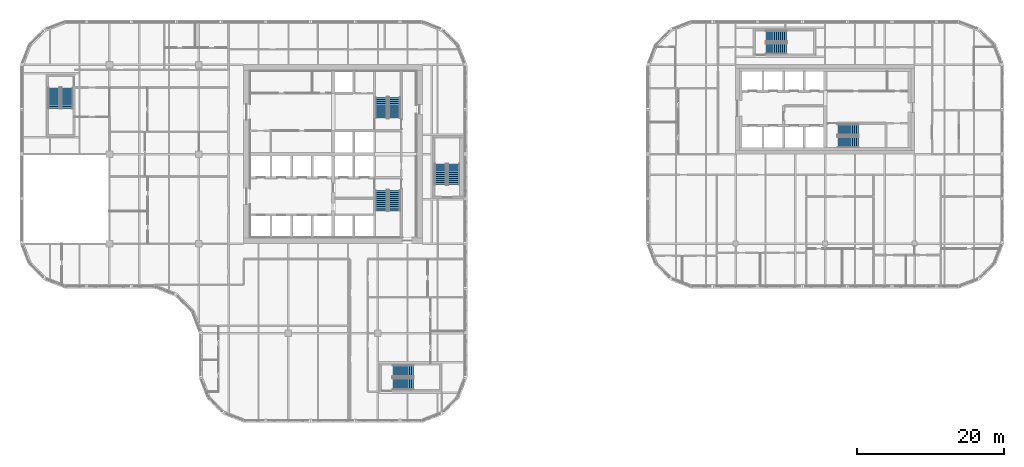
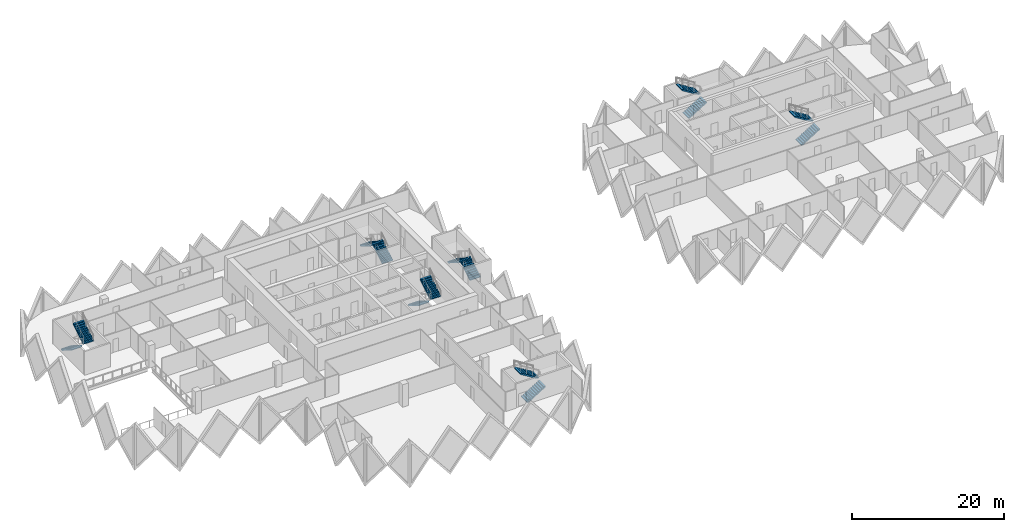
# One storey, part 17 of 19: 14 stair flights, 7 elements without a shape of their own.
"""IFC4 building model written with IfcOpenShell, lengths in metres."""

from ifc_helpers import new_model, si_unit, direction, frame, origin, place, context, subcontext, project, spatial, polyline, outline, extrude, material, type_object, element, aggregate, save


model = new_model("IFC4")

# Units and contexts
model_context = context("Model", 3, precision=1e-05, world=origin(), true_north=direction((0.0, 1.0)))
body_context = subcontext(model_context, "Body", "Model", "MODEL_VIEW")
ifc_project = project(units=[si_unit("LENGTHUNIT", "METRE"), si_unit("AREAUNIT", "SQUARE_METRE"), si_unit("VOLUMEUNIT", "CUBIC_METRE"), si_unit("PLANEANGLEUNIT", "RADIAN"), si_unit("MASSUNIT", "GRAM", prefix="KILO")], contexts=[model_context])

# Site, building, storey
site_placement = place(None, origin())
site = spatial("IfcSite", under=ifc_project, at=site_placement, CompositionType="ELEMENT")
building_placement = place(site_placement, origin())
building = spatial("IfcBuilding", under=site, at=building_placement, Name="Tessera Gate Towers", CompositionType="ELEMENT")
storey_placement = place(building_placement, frame((0.0, 0.0, 76.199951171875)))
storey = spatial("IfcBuildingStorey", under=building, at=storey_placement, Name="L18", CompositionType="ELEMENT", Elevation=76.199951171875)

# Stair, stair flights
ifc_material_1 = material(Name="Concrete C40/50", Category="concrete")
stair_type_1 = type_object("IfcStairType", Name="EXIT STAIR ST1 1600", PredefinedType="HALF_TURN_STAIR", material=ifc_material_1)
stair_1_placement = place(storey_placement, origin())
stair_1 = element("IfcStair", 1, at=stair_1_placement, inside=storey, type_object=stair_type_1, Name="L18 Protected Exit Stair ST1", PredefinedType="HALF_TURN_STAIR")
ifc_material_2 = material(Name="Concrete C40/50", Category="concrete")
stair_flight_type_1 = type_object("IfcStairFlightType", Name="EXIT STAIR FLIGHT ST1 1600", PredefinedType="STRAIGHT", material=ifc_material_2)
stair_flight_1_placement = place(storey_placement, frame((49.27490234375, 31.675048828125, 0.0), z_axis=(0.0, 0.0, 1.0), x_axis=(0.0, -1.0, 0.0)))
stair_flight_1 = element("IfcStairFlight", 2, at=stair_flight_1_placement, type_object=stair_flight_type_1, Name="ST1 flight 1", NumberOfRisers=11, NumberOfTreads=10, PredefinedType="STRAIGHT", RiserHeight=0.172727273, TreadLength=0.28, context=body_context, shape_type="SweptSolid", body=[
    extrude(outline(polyline([(0.0, 0.0), (0.0, 0.172607421875), (0.280029296875, 0.172607421875), (0.280029296875, 0.345458984375), (0.56005859375, 0.345458984375), (0.56005859375, 0.51806640625), (0.840087890625, 0.51806640625), (0.840087890625, 0.69091796875), (1.1201171875, 0.69091796875), (1.1201171875, 0.863525390625), (1.39990234375, 0.863525390625), (1.39990234375, 1.036376953125), (1.679931640625, 1.036376953125), (1.679931640625, 1.208984375), (1.9599609375, 1.208984375), (1.9599609375, 1.3818359375), (2.239990234375, 1.3818359375), (2.239990234375, 1.554443359375), (2.52001953125, 1.554443359375), (2.52001953125, 1.727294921875), (2.800048828125, 1.727294921875), (2.800048828125, 1.89990234375), (2.800048828125, 1.551025390625), (0.285400390625, 0.0), (0.0, 0.0)])), frame((0.0, 0.800048828125, 0.0), z_axis=(0.0, -1.0, 0.0), x_axis=(1.0, 0.0, 0.0)), (0.0, 0.0, 1.0), 1.60009765625),
])
stair_flight_2_placement = place(storey_placement, frame((51.074951171875, 28.875, 1.900146484375), z_axis=(0.0, 0.0, 1.0), x_axis=(0.0, 1.0, 0.0)))
stair_flight_2 = element("IfcStairFlight", 3, at=stair_flight_2_placement, type_object=stair_flight_type_1, Name="ST1 flight 2", NumberOfRisers=11, NumberOfTreads=10, PredefinedType="STRAIGHT", RiserHeight=0.172727273, TreadLength=0.28, context=body_context, shape_type="SweptSolid", body=[
    extrude(outline(polyline([(0.0, 0.0), (0.0, 0.172607421875), (0.280029296875, 0.172607421875), (0.280029296875, 0.345458984375), (0.56005859375, 0.345458984375), (0.56005859375, 0.51806640625), (0.840087890625, 0.51806640625), (0.840087890625, 0.69091796875), (1.1201171875, 0.69091796875), (1.1201171875, 0.863525390625), (1.39990234375, 0.863525390625), (1.39990234375, 1.036376953125), (1.679931640625, 1.036376953125), (1.679931640625, 1.208984375), (1.9599609375, 1.208984375), (1.9599609375, 1.3818359375), (2.239990234375, 1.3818359375), (2.239990234375, 1.554443359375), (2.52001953125, 1.554443359375), (2.52001953125, 1.727294921875), (2.800048828125, 1.727294921875), (2.800048828125, 1.89990234375), (2.800048828125, 1.551025390625), (0.285400390625, 0.0), (0.0, 0.0)])), frame((0.0, 0.800048828125, 0.0), z_axis=(0.0, -1.0, 0.0), x_axis=(1.0, 0.0, 0.0)), (0.0, 0.0, 1.0), 1.60009765625),
])
aggregate(stair_1, [stair_flight_1, stair_flight_2])

ifc_material_3 = material(Name="Concrete C40/50", Category="concrete")
stair_type_2 = type_object("IfcStairType", Name="EXIT STAIR ST2 1600", PredefinedType="HALF_TURN_STAIR", material=ifc_material_3)
stair_2_placement = place(storey_placement, origin())
stair_2 = element("IfcStair", 4, at=stair_2_placement, inside=storey, type_object=stair_type_2, Name="L18 Protected Exit Stair ST2", PredefinedType="HALF_TURN_STAIR")
ifc_material_4 = material(Name="Concrete C40/50", Category="concrete")
stair_flight_type_2 = type_object("IfcStairFlightType", Name="EXIT STAIR FLIGHT ST2 1600", PredefinedType="STRAIGHT", material=ifc_material_4)
stair_flight_3_placement = place(storey_placement, frame((51.074951171875, 41.52490234375, 0.0), z_axis=(0.0, 0.0, 1.0), x_axis=(0.0, 1.0, 0.0)))
stair_flight_3 = element("IfcStairFlight", 5, at=stair_flight_3_placement, type_object=stair_flight_type_2, Name="ST2 flight 1", NumberOfRisers=11, NumberOfTreads=10, PredefinedType="STRAIGHT", RiserHeight=0.172727273, TreadLength=0.28, context=body_context, shape_type="SweptSolid", body=[
    extrude(outline(polyline([(0.0, 0.0), (0.0, 0.172607421875), (0.280029296875, 0.172607421875), (0.280029296875, 0.345458984375), (0.56005859375, 0.345458984375), (0.56005859375, 0.51806640625), (0.840087890625, 0.51806640625), (0.840087890625, 0.69091796875), (1.1201171875, 0.69091796875), (1.1201171875, 0.863525390625), (1.39990234375, 0.863525390625), (1.39990234375, 1.036376953125), (1.679931640625, 1.036376953125), (1.679931640625, 1.208984375), (1.9599609375, 1.208984375), (1.9599609375, 1.3818359375), (2.239990234375, 1.3818359375), (2.239990234375, 1.554443359375), (2.52001953125, 1.554443359375), (2.52001953125, 1.727294921875), (2.800048828125, 1.727294921875), (2.800048828125, 1.89990234375), (2.800048828125, 1.551025390625), (0.285400390625, 0.0), (0.0, 0.0)])), frame((0.0, 0.800048828125, 0.0), z_axis=(0.0, -1.0, 0.0), x_axis=(1.0, 0.0, 0.0)), (0.0, 0.0, 1.0), 1.60009765625),
])
stair_flight_4_placement = place(storey_placement, frame((49.27490234375, 44.324951171875, 1.900146484375), z_axis=(0.0, 0.0, 1.0), x_axis=(0.0, -1.0, 0.0)))
stair_flight_4 = element("IfcStairFlight", 6, at=stair_flight_4_placement, type_object=stair_flight_type_2, Name="ST2 flight 2", NumberOfRisers=11, NumberOfTreads=10, PredefinedType="STRAIGHT", RiserHeight=0.172727273, TreadLength=0.28, context=body_context, shape_type="SweptSolid", body=[
    extrude(outline(polyline([(0.0, 0.0), (0.0, 0.172607421875), (0.280029296875, 0.172607421875), (0.280029296875, 0.345458984375), (0.56005859375, 0.345458984375), (0.56005859375, 0.51806640625), (0.840087890625, 0.51806640625), (0.840087890625, 0.69091796875), (1.1201171875, 0.69091796875), (1.1201171875, 0.863525390625), (1.39990234375, 0.863525390625), (1.39990234375, 1.036376953125), (1.679931640625, 1.036376953125), (1.679931640625, 1.208984375), (1.9599609375, 1.208984375), (1.9599609375, 1.3818359375), (2.239990234375, 1.3818359375), (2.239990234375, 1.554443359375), (2.52001953125, 1.554443359375), (2.52001953125, 1.727294921875), (2.800048828125, 1.727294921875), (2.800048828125, 1.89990234375), (2.800048828125, 1.551025390625), (0.285400390625, 0.0), (0.0, 0.0)])), frame((0.0, 0.800048828125, 0.0), z_axis=(0.0, -1.0, 0.0), x_axis=(1.0, 0.0, 0.0)), (0.0, 0.0, 1.0), 1.60009765625),
])
aggregate(stair_2, [stair_flight_3, stair_flight_4])

ifc_material_5 = material(Name="Concrete C40/50", Category="concrete")
stair_type_3 = type_object("IfcStairType", Name="EXIT STAIR ST3 1600", PredefinedType="HALF_TURN_STAIR", material=ifc_material_5)
stair_3_placement = place(storey_placement, origin())
stair_3 = element("IfcStair", 7, at=stair_3_placement, inside=storey, type_object=stair_type_3, Name="L18 West Exit Stair ST3", PredefinedType="HALF_TURN_STAIR")
ifc_material_6 = material(Name="Concrete C40/50", Category="concrete")
stair_flight_type_3 = type_object("IfcStairFlightType", Name="EXIT STAIR FLIGHT ST3 1600", PredefinedType="STRAIGHT", material=ifc_material_6)
stair_flight_5_placement = place(storey_placement, frame((4.64990234375, 45.64990234375, 0.0), z_axis=(0.0, 0.0, 1.0), x_axis=(0.0, -1.0, 0.0)))
stair_flight_5 = element("IfcStairFlight", 8, at=stair_flight_5_placement, type_object=stair_flight_type_3, Name="ST3 flight 1", NumberOfRisers=11, NumberOfTreads=10, PredefinedType="STRAIGHT", RiserHeight=0.172727273, TreadLength=0.28, context=body_context, shape_type="SweptSolid", body=[
    extrude(outline(polyline([(0.0, 0.0), (0.0, 0.172607421875), (0.280029296875, 0.172607421875), (0.280029296875, 0.345458984375), (0.56005859375, 0.345458984375), (0.56005859375, 0.51806640625), (0.840087890625, 0.51806640625), (0.840087890625, 0.69091796875), (1.1201171875, 0.69091796875), (1.1201171875, 0.863525390625), (1.39990234375, 0.863525390625), (1.39990234375, 1.036376953125), (1.679931640625, 1.036376953125), (1.679931640625, 1.208984375), (1.9599609375, 1.208984375), (1.9599609375, 1.3818359375), (2.239990234375, 1.3818359375), (2.239990234375, 1.554443359375), (2.52001953125, 1.554443359375), (2.52001953125, 1.727294921875), (2.800048828125, 1.727294921875), (2.800048828125, 1.89990234375), (2.800048828125, 1.551025390625), (0.285400390625, 0.0), (0.0, 0.0)])), frame((0.0, 0.800048828125, 0.0), z_axis=(0.0, -1.0, 0.0), x_axis=(1.0, 0.0, 0.0)), (0.0, 0.0, 1.0), 1.60009765625),
])
stair_flight_6_placement = place(storey_placement, frame((6.449951171875, 42.85009765625, 1.900146484375), z_axis=(0.0, 0.0, 1.0), x_axis=(0.0, 1.0, 0.0)))
stair_flight_6 = element("IfcStairFlight", 9, at=stair_flight_6_placement, type_object=stair_flight_type_3, Name="ST3 flight 2", NumberOfRisers=11, NumberOfTreads=10, PredefinedType="STRAIGHT", RiserHeight=0.172727273, TreadLength=0.28, context=body_context, shape_type="SweptSolid", body=[
    extrude(outline(polyline([(0.0, 0.0), (0.0, 0.172607421875), (0.280029296875, 0.172607421875), (0.280029296875, 0.345458984375), (0.56005859375, 0.345458984375), (0.56005859375, 0.51806640625), (0.840087890625, 0.51806640625), (0.840087890625, 0.69091796875), (1.1201171875, 0.69091796875), (1.1201171875, 0.863525390625), (1.39990234375, 0.863525390625), (1.39990234375, 1.036376953125), (1.679931640625, 1.036376953125), (1.679931640625, 1.208984375), (1.9599609375, 1.208984375), (1.9599609375, 1.3818359375), (2.239990234375, 1.3818359375), (2.239990234375, 1.554443359375), (2.52001953125, 1.554443359375), (2.52001953125, 1.727294921875), (2.800048828125, 1.727294921875), (2.800048828125, 1.89990234375), (2.800048828125, 1.551025390625), (0.285400390625, 0.0), (0.0, 0.0)])), frame((0.0, 0.800048828125, 0.0), z_axis=(0.0, -1.0, 0.0), x_axis=(1.0, 0.0, 0.0)), (0.0, 0.0, 1.0), 1.60009765625),
])
aggregate(stair_3, [stair_flight_5, stair_flight_6])

ifc_material_7 = material(Name="Concrete C40/50", Category="concrete")
stair_type_4 = type_object("IfcStairType", Name="EXIT STAIR ST4 1600", PredefinedType="HALF_TURN_STAIR", material=ifc_material_7)
stair_4_placement = place(storey_placement, origin())
stair_4 = element("IfcStair", 10, at=stair_4_placement, inside=storey, type_object=stair_type_4, Name="L18 South Exit Stair ST4", PredefinedType="HALF_TURN_STAIR")
ifc_material_8 = material(Name="Concrete C40/50", Category="concrete")
stair_flight_type_4 = type_object("IfcStairFlightType", Name="EXIT STAIR FLIGHT ST4 1600", PredefinedType="STRAIGHT", material=ifc_material_8)
stair_flight_7_placement = place(storey_placement, frame((50.85009765625, 5.25, 0.0), z_axis=(0.0, 0.0, 1.0), x_axis=(1.0, 0.0, 0.0)))
stair_flight_7 = element("IfcStairFlight", 11, at=stair_flight_7_placement, type_object=stair_flight_type_4, Name="ST4 flight 1", NumberOfRisers=11, NumberOfTreads=10, PredefinedType="STRAIGHT", RiserHeight=0.172727273, TreadLength=0.28, context=body_context, shape_type="SweptSolid", body=[
    extrude(outline(polyline([(0.0, 0.0), (0.0, 0.172607421875), (0.280029296875, 0.172607421875), (0.280029296875, 0.345458984375), (0.56005859375, 0.345458984375), (0.56005859375, 0.51806640625), (0.840087890625, 0.51806640625), (0.840087890625, 0.69091796875), (1.1201171875, 0.69091796875), (1.1201171875, 0.863525390625), (1.39990234375, 0.863525390625), (1.39990234375, 1.036376953125), (1.679931640625, 1.036376953125), (1.679931640625, 1.208984375), (1.9599609375, 1.208984375), (1.9599609375, 1.3818359375), (2.239990234375, 1.3818359375), (2.239990234375, 1.554443359375), (2.52001953125, 1.554443359375), (2.52001953125, 1.727294921875), (2.800048828125, 1.727294921875), (2.800048828125, 1.89990234375), (2.800048828125, 1.551025390625), (0.285400390625, 0.0), (0.0, 0.0)])), frame((0.0, 0.800048828125, 0.0), z_axis=(0.0, -1.0, 0.0), x_axis=(1.0, 0.0, 0.0)), (0.0, 0.0, 1.0), 1.60009765625),
])
stair_flight_8_placement = place(storey_placement, frame((53.64990234375, 7.050048828125, 1.900146484375), z_axis=(0.0, 0.0, 1.0), x_axis=(-1.0, 0.0, 0.0)))
stair_flight_8 = element("IfcStairFlight", 12, at=stair_flight_8_placement, type_object=stair_flight_type_4, Name="ST4 flight 2", NumberOfRisers=11, NumberOfTreads=10, PredefinedType="STRAIGHT", RiserHeight=0.172727273, TreadLength=0.28, context=body_context, shape_type="SweptSolid", body=[
    extrude(outline(polyline([(0.0, 0.0), (0.0, 0.172607421875), (0.280029296875, 0.172607421875), (0.280029296875, 0.345458984375), (0.56005859375, 0.345458984375), (0.56005859375, 0.51806640625), (0.840087890625, 0.51806640625), (0.840087890625, 0.69091796875), (1.1201171875, 0.69091796875), (1.1201171875, 0.863525390625), (1.39990234375, 0.863525390625), (1.39990234375, 1.036376953125), (1.679931640625, 1.036376953125), (1.679931640625, 1.208984375), (1.9599609375, 1.208984375), (1.9599609375, 1.3818359375), (2.239990234375, 1.3818359375), (2.239990234375, 1.554443359375), (2.52001953125, 1.554443359375), (2.52001953125, 1.727294921875), (2.800048828125, 1.727294921875), (2.800048828125, 1.89990234375), (2.800048828125, 1.551025390625), (0.285400390625, 0.0), (0.0, 0.0)])), frame((0.0, 0.800048828125, 0.0), z_axis=(0.0, -1.0, 0.0), x_axis=(1.0, 0.0, 0.0)), (0.0, 0.0, 1.0), 1.60009765625),
])
aggregate(stair_4, [stair_flight_7, stair_flight_8])

ifc_material_9 = material(Name="Concrete C40/50", Category="concrete")
stair_type_5 = type_object("IfcStairType", Name="EXIT STAIR ST5 1600", PredefinedType="HALF_TURN_STAIR", material=ifc_material_9)
stair_5_placement = place(storey_placement, origin())
stair_5 = element("IfcStair", 13, at=stair_5_placement, inside=storey, type_object=stair_type_5, Name="L18 East Exit Stair ST5", PredefinedType="HALF_TURN_STAIR")
ifc_material_10 = material(Name="Concrete C40/50", Category="concrete")
stair_flight_type_5 = type_object("IfcStairFlightType", Name="EXIT STAIR FLIGHT ST5 1600", PredefinedType="STRAIGHT", material=ifc_material_10)
stair_flight_9_placement = place(storey_placement, frame((59.14990234375, 32.449951171875, 0.0), z_axis=(0.0, 0.0, 1.0), x_axis=(0.0, 1.0, 0.0)))
stair_flight_9 = element("IfcStairFlight", 14, at=stair_flight_9_placement, type_object=stair_flight_type_5, Name="ST5 flight 1", NumberOfRisers=11, NumberOfTreads=10, PredefinedType="STRAIGHT", RiserHeight=0.172727273, TreadLength=0.28, context=body_context, shape_type="SweptSolid", body=[
    extrude(outline(polyline([(0.0, 0.0), (0.0, 0.172607421875), (0.280029296875, 0.172607421875), (0.280029296875, 0.345458984375), (0.56005859375, 0.345458984375), (0.56005859375, 0.51806640625), (0.840087890625, 0.51806640625), (0.840087890625, 0.69091796875), (1.1201171875, 0.69091796875), (1.1201171875, 0.863525390625), (1.39990234375, 0.863525390625), (1.39990234375, 1.036376953125), (1.679931640625, 1.036376953125), (1.679931640625, 1.208984375), (1.9599609375, 1.208984375), (1.9599609375, 1.3818359375), (2.239990234375, 1.3818359375), (2.239990234375, 1.554443359375), (2.52001953125, 1.554443359375), (2.52001953125, 1.727294921875), (2.800048828125, 1.727294921875), (2.800048828125, 1.89990234375), (2.800048828125, 1.551025390625), (0.285400390625, 0.0), (0.0, 0.0)])), frame((0.0, 0.800048828125, 0.0), z_axis=(0.0, -1.0, 0.0), x_axis=(1.0, 0.0, 0.0)), (0.0, 0.0, 1.0), 1.60009765625),
])
stair_flight_10_placement = place(storey_placement, frame((57.35009765625, 35.25, 1.900146484375), z_axis=(0.0, 0.0, 1.0), x_axis=(0.0, -1.0, 0.0)))
stair_flight_10 = element("IfcStairFlight", 15, at=stair_flight_10_placement, type_object=stair_flight_type_5, Name="ST5 flight 2", NumberOfRisers=11, NumberOfTreads=10, PredefinedType="STRAIGHT", RiserHeight=0.172727273, TreadLength=0.28, context=body_context, shape_type="SweptSolid", body=[
    extrude(outline(polyline([(0.0, 0.0), (0.0, 0.172607421875), (0.280029296875, 0.172607421875), (0.280029296875, 0.345458984375), (0.56005859375, 0.345458984375), (0.56005859375, 0.51806640625), (0.840087890625, 0.51806640625), (0.840087890625, 0.69091796875), (1.1201171875, 0.69091796875), (1.1201171875, 0.863525390625), (1.39990234375, 0.863525390625), (1.39990234375, 1.036376953125), (1.679931640625, 1.036376953125), (1.679931640625, 1.208984375), (1.9599609375, 1.208984375), (1.9599609375, 1.3818359375), (2.239990234375, 1.3818359375), (2.239990234375, 1.554443359375), (2.52001953125, 1.554443359375), (2.52001953125, 1.727294921875), (2.800048828125, 1.727294921875), (2.800048828125, 1.89990234375), (2.800048828125, 1.551025390625), (0.285400390625, 0.0), (0.0, 0.0)])), frame((0.0, 0.800048828125, 0.0), z_axis=(0.0, -1.0, 0.0), x_axis=(1.0, 0.0, 0.0)), (0.0, 0.0, 1.0), 1.60009765625),
])
aggregate(stair_5, [stair_flight_9, stair_flight_10])

ifc_material_11 = material(Name="Concrete C40/50", Category="concrete")
stair_type_6 = type_object("IfcStairType", Name="EXIT STAIR ST6 1500", PredefinedType="HALF_TURN_STAIR", material=ifc_material_11)
stair_6_placement = place(storey_placement, origin())
stair_6 = element("IfcStair", 16, at=stair_6_placement, inside=storey, type_object=stair_type_6, Name="L18 Protected Exit Stair ST6", PredefinedType="HALF_TURN_STAIR")
ifc_material_12 = material(Name="Concrete C40/50", Category="concrete")
stair_flight_type_6 = type_object("IfcStairFlightType", Name="EXIT STAIR FLIGHT ST6 1500", PredefinedType="STRAIGHT", material=ifc_material_12)
stair_flight_11_placement = place(storey_placement, frame((111.550048828125, 38.25, 0.0), z_axis=(0.0, 0.0, 1.0), x_axis=(1.0, 0.0, 0.0)))
stair_flight_11 = element("IfcStairFlight", 17, at=stair_flight_11_placement, type_object=stair_flight_type_6, Name="ST6 flight 1", NumberOfRisers=11, NumberOfTreads=10, PredefinedType="STRAIGHT", RiserHeight=0.172727273, TreadLength=0.28, context=body_context, shape_type="SweptSolid", body=[
    extrude(outline(polyline([(0.0, 0.0), (0.0, 0.172607421875), (0.280029296875, 0.172607421875), (0.280029296875, 0.345458984375), (0.56005859375, 0.345458984375), (0.56005859375, 0.51806640625), (0.840087890625, 0.51806640625), (0.840087890625, 0.69091796875), (1.1201171875, 0.69091796875), (1.1201171875, 0.863525390625), (1.39990234375, 0.863525390625), (1.39990234375, 1.036376953125), (1.679931640625, 1.036376953125), (1.679931640625, 1.208984375), (1.9599609375, 1.208984375), (1.9599609375, 1.3818359375), (2.239990234375, 1.3818359375), (2.239990234375, 1.554443359375), (2.52001953125, 1.554443359375), (2.52001953125, 1.727294921875), (2.800048828125, 1.727294921875), (2.800048828125, 1.89990234375), (2.800048828125, 1.551025390625), (0.285400390625, 0.0), (0.0, 0.0)])), frame((0.0, 0.75, 0.0), z_axis=(0.0, -1.0, 0.0), x_axis=(1.0, 0.0, 0.0)), (0.0, 0.0, 1.0), 1.5),
])
stair_flight_12_placement = place(storey_placement, frame((114.35009765625, 39.949951171875, 1.900146484375), z_axis=(0.0, 0.0, 1.0), x_axis=(-1.0, 0.0, 0.0)))
stair_flight_12 = element("IfcStairFlight", 18, at=stair_flight_12_placement, type_object=stair_flight_type_6, Name="ST6 flight 2", NumberOfRisers=11, NumberOfTreads=10, PredefinedType="STRAIGHT", RiserHeight=0.172727273, TreadLength=0.28, context=body_context, shape_type="SweptSolid", body=[
    extrude(outline(polyline([(0.0, 0.0), (0.0, 0.172607421875), (0.280029296875, 0.172607421875), (0.280029296875, 0.345458984375), (0.56005859375, 0.345458984375), (0.56005859375, 0.51806640625), (0.840087890625, 0.51806640625), (0.840087890625, 0.69091796875), (1.1201171875, 0.69091796875), (1.1201171875, 0.863525390625), (1.39990234375, 0.863525390625), (1.39990234375, 1.036376953125), (1.679931640625, 1.036376953125), (1.679931640625, 1.208984375), (1.9599609375, 1.208984375), (1.9599609375, 1.3818359375), (2.239990234375, 1.3818359375), (2.239990234375, 1.554443359375), (2.52001953125, 1.554443359375), (2.52001953125, 1.727294921875), (2.800048828125, 1.727294921875), (2.800048828125, 1.89990234375), (2.800048828125, 1.551025390625), (0.285400390625, 0.0), (0.0, 0.0)])), frame((0.0, 0.75, 0.0), z_axis=(0.0, -1.0, 0.0), x_axis=(1.0, 0.0, 0.0)), (0.0, 0.0, 1.0), 1.5),
])
aggregate(stair_6, [stair_flight_11, stair_flight_12])

ifc_material_13 = material(Name="Concrete C40/50", Category="concrete")
stair_type_7 = type_object("IfcStairType", Name="EXIT STAIR ST7 1500", PredefinedType="HALF_TURN_STAIR", material=ifc_material_13)
stair_7_placement = place(storey_placement, origin())
stair_7 = element("IfcStair", 19, at=stair_7_placement, inside=storey, type_object=stair_type_7, Name="L18 North Exit Stair ST7", PredefinedType="HALF_TURN_STAIR")
ifc_material_14 = material(Name="Concrete C40/50", Category="concrete")
stair_flight_type_7 = type_object("IfcStairFlightType", Name="EXIT STAIR FLIGHT ST7 1500", PredefinedType="STRAIGHT", material=ifc_material_14)
stair_flight_13_placement = place(storey_placement, frame((101.75, 51.0, 0.0), z_axis=(0.0, 0.0, 1.0), x_axis=(1.0, 0.0, 0.0)))
stair_flight_13 = element("IfcStairFlight", 20, at=stair_flight_13_placement, type_object=stair_flight_type_7, Name="ST7 flight 1", NumberOfRisers=11, NumberOfTreads=10, PredefinedType="STRAIGHT", RiserHeight=0.172727273, TreadLength=0.28, context=body_context, shape_type="SweptSolid", body=[
    extrude(outline(polyline([(0.0, 0.0), (0.0, 0.172607421875), (0.280029296875, 0.172607421875), (0.280029296875, 0.345458984375), (0.56005859375, 0.345458984375), (0.56005859375, 0.51806640625), (0.840087890625, 0.51806640625), (0.840087890625, 0.69091796875), (1.1201171875, 0.69091796875), (1.1201171875, 0.863525390625), (1.39990234375, 0.863525390625), (1.39990234375, 1.036376953125), (1.679931640625, 1.036376953125), (1.679931640625, 1.208984375), (1.9599609375, 1.208984375), (1.9599609375, 1.3818359375), (2.239990234375, 1.3818359375), (2.239990234375, 1.554443359375), (2.52001953125, 1.554443359375), (2.52001953125, 1.727294921875), (2.800048828125, 1.727294921875), (2.800048828125, 1.89990234375), (2.800048828125, 1.551025390625), (0.285400390625, 0.0), (0.0, 0.0)])), frame((0.0, 0.75, 0.0), z_axis=(0.0, -1.0, 0.0), x_axis=(1.0, 0.0, 0.0)), (0.0, 0.0, 1.0), 1.5),
])
stair_flight_14_placement = place(storey_placement, frame((104.550048828125, 52.699951171875, 1.900146484375), z_axis=(0.0, 0.0, 1.0), x_axis=(-1.0, 0.0, 0.0)))
stair_flight_14 = element("IfcStairFlight", 21, at=stair_flight_14_placement, type_object=stair_flight_type_7, Name="ST7 flight 2", NumberOfRisers=11, NumberOfTreads=10, PredefinedType="STRAIGHT", RiserHeight=0.172727273, TreadLength=0.28, context=body_context, shape_type="SweptSolid", body=[
    extrude(outline(polyline([(0.0, 0.0), (0.0, 0.172607421875), (0.280029296875, 0.172607421875), (0.280029296875, 0.345458984375), (0.56005859375, 0.345458984375), (0.56005859375, 0.51806640625), (0.840087890625, 0.51806640625), (0.840087890625, 0.69091796875), (1.1201171875, 0.69091796875), (1.1201171875, 0.863525390625), (1.39990234375, 0.863525390625), (1.39990234375, 1.036376953125), (1.679931640625, 1.036376953125), (1.679931640625, 1.208984375), (1.9599609375, 1.208984375), (1.9599609375, 1.3818359375), (2.239990234375, 1.3818359375), (2.239990234375, 1.554443359375), (2.52001953125, 1.554443359375), (2.52001953125, 1.727294921875), (2.800048828125, 1.727294921875), (2.800048828125, 1.89990234375), (2.800048828125, 1.551025390625), (0.285400390625, 0.0), (0.0, 0.0)])), frame((0.0, 0.75, 0.0), z_axis=(0.0, -1.0, 0.0), x_axis=(1.0, 0.0, 0.0)), (0.0, 0.0, 1.0), 1.5),
])
aggregate(stair_7, [stair_flight_13, stair_flight_14])

save(model, "model.ifc")
